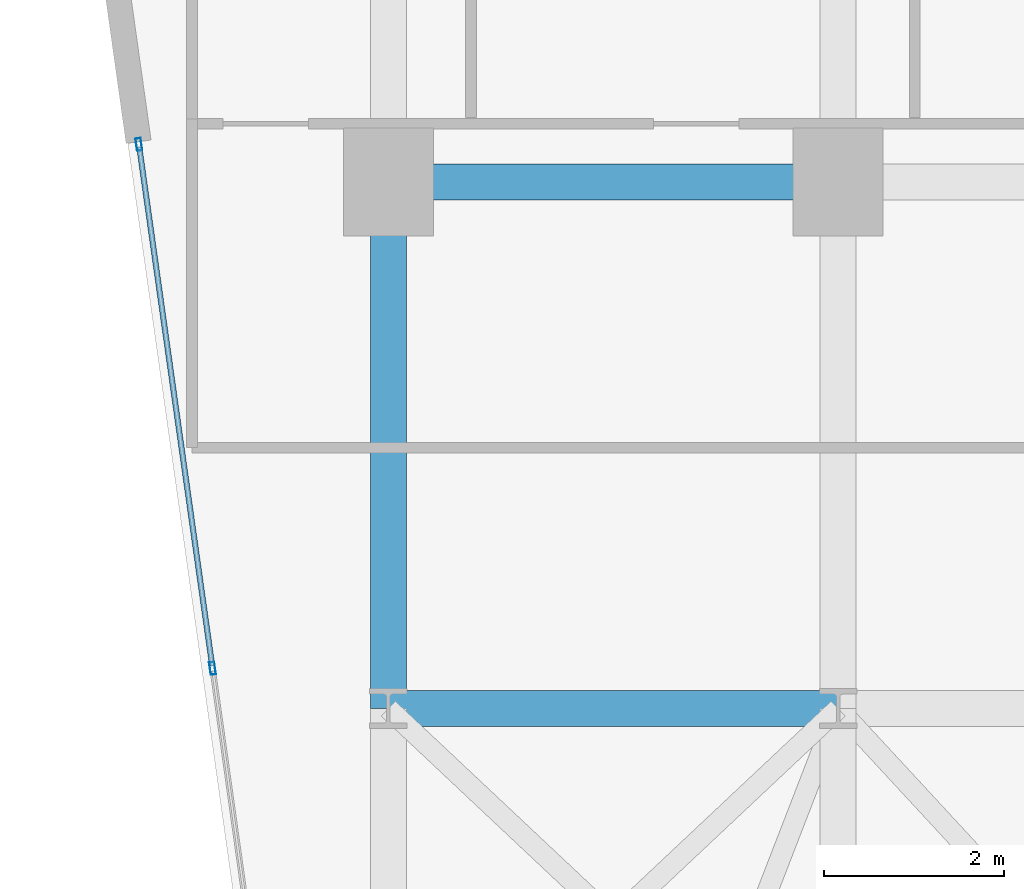
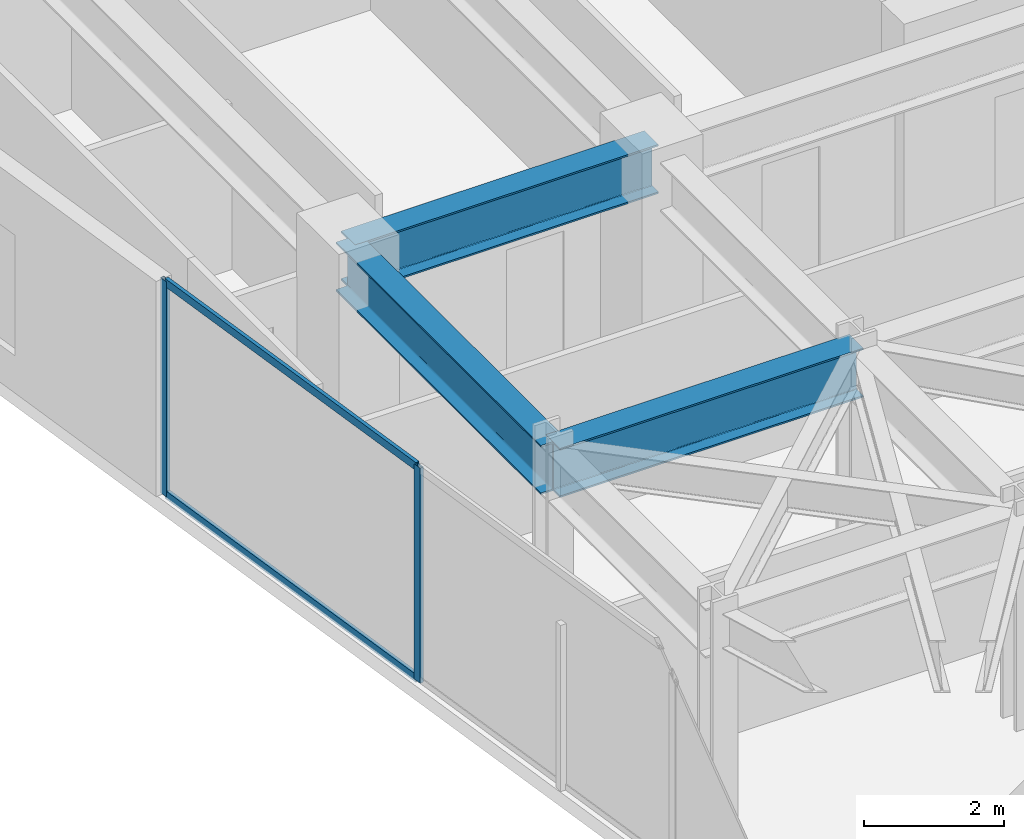
# One storey, part 11 of 26: 4 members, 3 beams, 1 element without a shape of its own.
"""IFC4 building model written with IfcOpenShell, lengths in metres."""

from ifc_helpers import new_model, si_unit, direction, frame, origin, origin_2d, place, context, subcontext, project, spatial, hollow_rectangle, i_section, extrude, material, layer, layer_set, material_profile, profile_set, type_object, element, aggregate, save


model = new_model("IFC4")

# Units and contexts
model_context = context("Model", 3, precision=1e-05, world=origin(), true_north=direction((0.0, 1.0)))
body_context = subcontext(model_context, "Body", "Model", "MODEL_VIEW")
ifc_project = project(units=[si_unit("LENGTHUNIT", "METRE"), si_unit("AREAUNIT", "SQUARE_METRE"), si_unit("VOLUMEUNIT", "CUBIC_METRE"), si_unit("PLANEANGLEUNIT", "RADIAN"), si_unit("MASSUNIT", "GRAM", prefix="KILO")], contexts=[model_context])

# Site, building, storey
site_placement = place(None, origin())
site = spatial("IfcSite", under=ifc_project, at=site_placement, CompositionType="ELEMENT")
building_placement = place(site_placement, origin())
building = spatial("IfcBuilding", under=site, at=building_placement, Name="Kravanh Interchange Tower", CompositionType="ELEMENT")
storey_placement = place(building_placement, frame((0.0, 0.0, 136.0)))
storey = spatial("IfcBuildingStorey", under=building, at=storey_placement, Name="L32", CompositionType="ELEMENT", Elevation=136.0)

# Curtain wall, members
ifc_material_1 = material(Name="Anodised Bronze Aluminium", Category="aluminium")
ifc_layer = layer(ifc_material_1, 0.179931640625)
ifc_layer_set = layer_set([ifc_layer], Name="Unitised Curtain Wall System CW-Z2 Mid Office")
curtain_wall_type = type_object("IfcCurtainWallType", Name="Unitised Curtain Wall System CW-Z2 Mid Office", PredefinedType="NOTDEFINED", material=ifc_layer_set)
curtain_wall_placement = place(storey_placement, origin())
curtain_wall = element("IfcCurtainWall", 1, at=curtain_wall_placement, inside=storey, type_object=curtain_wall_type, Name="L32 Unitised Curtain Wall CW-L32-01", PredefinedType="NOTDEFINED")
ifc_material_2 = material(Name="Anodised Bronze Aluminium", Category="aluminium")
ifc_material_profile_1 = material_profile(ifc_material_2, hollow_rectangle(XDim=0.06005859375, YDim=0.139892578125, WallThickness=0.00390625, at=origin_2d()), Name="ALU60X140X4")
ifc_profile_set_1 = profile_set([ifc_material_profile_1], Name="Anodised Bronze Aluminium")
member_type_1 = type_object("IfcMemberType", Name="Curtain Wall Mullion ALU60X140X4 Bronze", PredefinedType="MULLION", material=ifc_profile_set_1)
member_1_placement = place(storey_placement, frame((11.6474609375, 31.94775390625, 0.0), z_axis=(0.0, 0.0, 1.0), x_axis=(-0.990268103846, -0.13917285118, 0.0)))
member_1 = element("IfcMember", 2, at=member_1_placement, type_object=member_type_1, Name="CW-Z2 mullion 5", PredefinedType="MULLION", context=body_context, shape_type="SweptSolid", body=[
    extrude(hollow_rectangle(XDim=0.06005859375, YDim=0.139892578125, WallThickness=0.00390625, at=origin_2d()), origin(), (0.0, 0.0, 1.0), 3.75),
])
member_2_placement = place(storey_placement, frame((10.8291015625, 37.770263671875, 0.0), z_axis=(0.0, 0.0, 1.0), x_axis=(-0.990268103846, -0.13917285118, 0.0)))
member_2 = element("IfcMember", 3, at=member_2_placement, type_object=member_type_1, Name="CW-Z2 mullion 6", PredefinedType="MULLION", context=body_context, shape_type="SweptSolid", body=[
    extrude(hollow_rectangle(XDim=0.06005859375, YDim=0.139892578125, WallThickness=0.00390625, at=origin_2d()), origin(), (0.0, 0.0, 1.0), 3.75),
])
ifc_material_3 = material(Name="Anodised Bronze Aluminium", Category="aluminium")
ifc_material_profile_2 = material_profile(ifc_material_3, hollow_rectangle(XDim=0.06005859375, YDim=0.139892578125, WallThickness=0.00390625, at=origin_2d()), Name="ALU60X140X4")
ifc_profile_set_2 = profile_set([ifc_material_profile_2], Name="Anodised Bronze Aluminium")
member_type_2 = type_object("IfcMemberType", Name="Curtain Wall Transom ALU60X140X4 Bronze", PredefinedType="USERDEFINED", material=ifc_profile_set_2)
member_3_placement = place(storey_placement, frame((11.643310546875, 31.9775390625, 0.030029296875), z_axis=(-0.139195052528, 0.990264983402, 0.0), x_axis=(-0.990264983402, -0.139195052528, 0.0)))
member_3 = element("IfcMember", 4, at=member_3_placement, type_object=member_type_2, Name="CW-Z2 transom 5.1", ObjectType="TRANSOM", PredefinedType="USERDEFINED", context=body_context, shape_type="SweptSolid", body=[
    extrude(hollow_rectangle(XDim=0.06005859375, YDim=0.139892578125, WallThickness=0.00390625, at=origin_2d()), origin(), (0.0, 0.0, 1.0), 5.819580078125),
])
member_4_placement = place(storey_placement, frame((11.643310546875, 31.9775390625, 3.719970703125), z_axis=(-0.139195052528, 0.990264983402, 0.0), x_axis=(-0.990264983402, -0.139195052528, 0.0)))
member_4 = element("IfcMember", 5, at=member_4_placement, type_object=member_type_2, Name="CW-Z2 transom 5.2", ObjectType="TRANSOM", PredefinedType="USERDEFINED", context=body_context, shape_type="SweptSolid", body=[
    extrude(hollow_rectangle(XDim=0.06005859375, YDim=0.139892578125, WallThickness=0.00390625, at=origin_2d()), origin(), (0.0, 0.0, 1.0), 5.819580078125),
])
aggregate(curtain_wall, [member_1, member_2, member_3, member_4])

# Beams
ifc_material_4 = material(Name="Structural Steel S355", Category="steel")
ifc_material_profile_3 = material_profile(ifc_material_4, i_section(OverallWidth=0.39990234375, OverallDepth=0.85595703125, WebThickness=0.018310546875, FlangeThickness=0.029296875, FilletRadius=0.02490234375, at=origin_2d()), Name="W33X201")
ifc_profile_set_3 = profile_set([ifc_material_profile_3], Name="Structural Steel S355")
beam_type = type_object("IfcBeamType", Name="Floor Beam W33X201 Structural Steel S355", PredefinedType="BEAM", material=ifc_profile_set_3)
beam_1_placement = place(storey_placement, frame((18.60009765625, 37.35009765625, 3.322021484375), z_axis=(-1.0, 0.0, 0.0), x_axis=(0.0, -1.0, 0.0)))
element("IfcBeam", 6, at=beam_1_placement, inside=storey, type_object=beam_type, Name="L32 Primary Floor Girder 28", PredefinedType="BEAM", context=body_context, shape_type="SweptSolid", body=[
    extrude(i_section(OverallWidth=0.39990234375, OverallDepth=0.85595703125, WebThickness=0.018310546875, FlangeThickness=0.029296875, FilletRadius=0.02490234375, at=origin_2d()), origin(), (0.0, 0.0, 1.0), 5.0),
])
beam_2_placement = place(storey_placement, frame((13.60009765625, 37.35009765625, 3.322021484375), z_axis=(0.0, -1.0, 0.0), x_axis=(1.0, 0.0, 0.0)))
element("IfcBeam", 7, at=beam_2_placement, inside=storey, type_object=beam_type, Name="L32 Primary Floor Girder 32", PredefinedType="BEAM", context=body_context, shape_type="SweptSolid", body=[
    extrude(i_section(OverallWidth=0.39990234375, OverallDepth=0.85595703125, WebThickness=0.018310546875, FlangeThickness=0.029296875, FilletRadius=0.02490234375, at=origin_2d()), origin(), (0.0, 0.0, 1.0), 5.85009765625),
])
beam_3_placement = place(storey_placement, frame((13.60009765625, 31.5, 3.322021484375), z_axis=(1.0, 0.0, 0.0), x_axis=(0.0, 1.0, 0.0)))
element("IfcBeam", 8, at=beam_3_placement, inside=storey, type_object=beam_type, Name="L32 Primary Floor Girder 69", PredefinedType="BEAM", context=body_context, shape_type="SweptSolid", body=[
    extrude(i_section(OverallWidth=0.39990234375, OverallDepth=0.85595703125, WebThickness=0.018310546875, FlangeThickness=0.029296875, FilletRadius=0.02490234375, at=origin_2d()), origin(), (0.0, 0.0, 1.0), 5.0),
])

save(model, "model.ifc")
